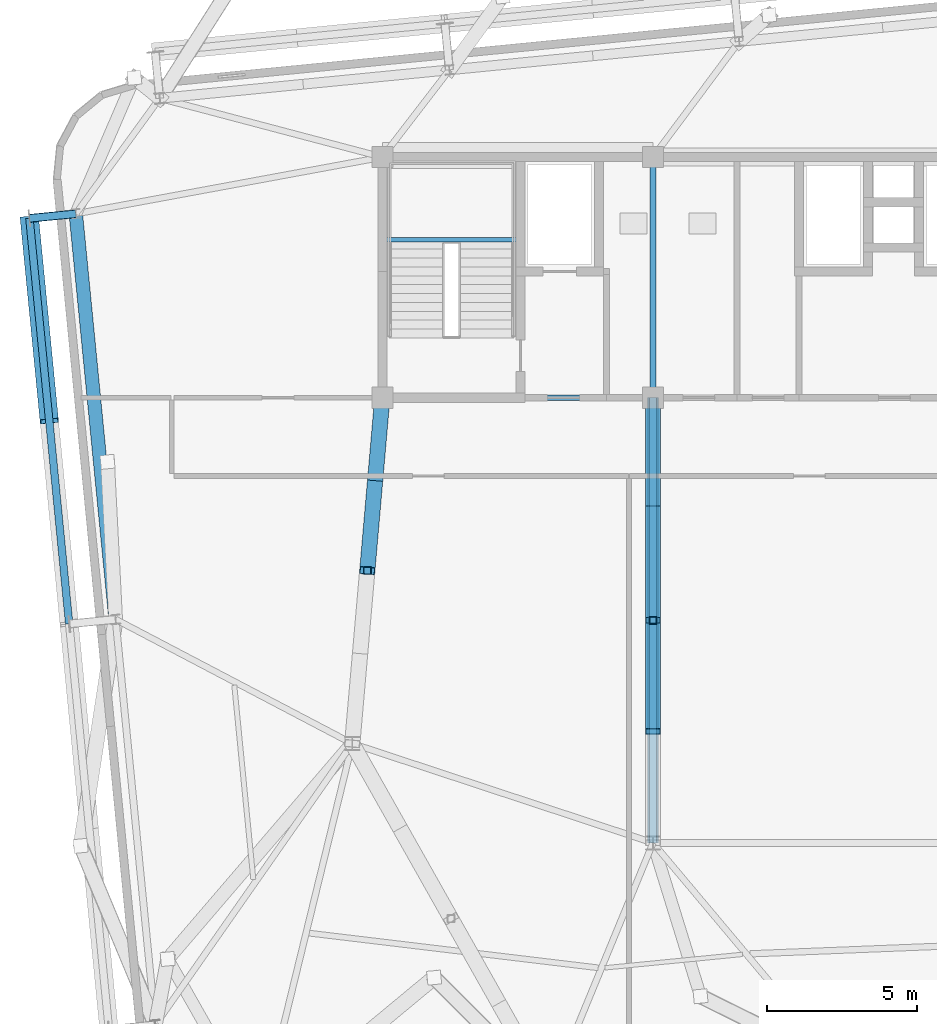
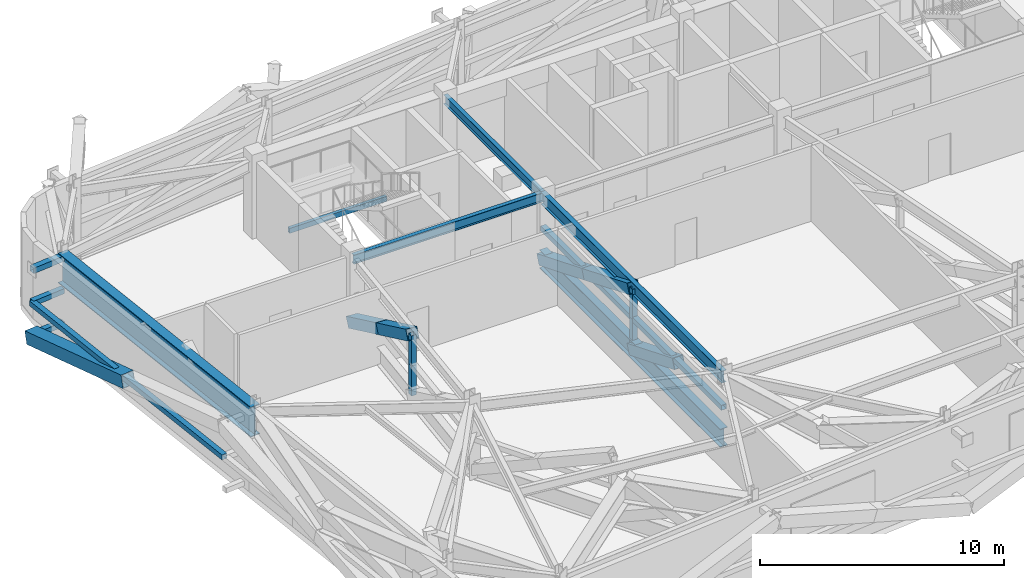
# One storey, part 7 of 24: 16 members, 5 beams.
"""IFC4 building model written with IfcOpenShell, lengths in metres."""

from ifc_helpers import new_model, si_unit, direction, frame, origin, origin_2d, place, context, subcontext, project, spatial, hollow_rectangle, i_section, extrude, source, transform, mapped, material, material_profile, profile_set, type_object, element, save


model = new_model("IFC4")

# Units and contexts
model_context = context("Model", 3, precision=1e-05, world=origin(), true_north=direction((0.0, 1.0)))
body_context = subcontext(model_context, "Body", "Model", "MODEL_VIEW")
ifc_project = project(units=[si_unit("LENGTHUNIT", "METRE"), si_unit("AREAUNIT", "SQUARE_METRE"), si_unit("VOLUMEUNIT", "CUBIC_METRE"), si_unit("PLANEANGLEUNIT", "RADIAN"), si_unit("MASSUNIT", "GRAM", prefix="KILO")], contexts=[model_context])

# Site, building, storey
site_placement = place(None, origin())
site = spatial("IfcSite", under=ifc_project, at=site_placement, CompositionType="ELEMENT")
building_placement = place(site_placement, origin())
building = spatial("IfcBuilding", under=site, at=building_placement, Name="Taldren Reach Tower", CompositionType="ELEMENT")
storey_placement = place(building_placement, frame((0.0, 0.0, 112.35009765625)))
storey = spatial("IfcBuildingStorey", under=building, at=storey_placement, Name="L34", CompositionType="ELEMENT", Elevation=112.35009765625)

# Beams
ifc_material_1 = material(Name="Steel Gr 350 (350PLUS)", Category="steel")
ifc_material_profile_1 = material_profile(ifc_material_1, i_section(OverallWidth=0.19091796875, OverallDepth=0.4599609375, WebThickness=0.010009765625, FlangeThickness=0.01611328125, at=origin_2d()), Name="460UB82.1")
ifc_profile_set_1 = profile_set([ifc_material_profile_1], Name="Steel Gr 350 (350PLUS)")
beam_type_1 = type_object("IfcBeamType", Name="BM-UB460A", PredefinedType="BEAM", material=ifc_profile_set_1)
shared_shape_1 = source(origin(), body_context, "Body", "SweptSolid", [
    extrude(i_section(OverallWidth=0.19091796875, OverallDepth=0.4599609375, WebThickness=0.010009765625, FlangeThickness=0.01611328125, at=origin_2d()), origin(), (0.0, 0.0, 1.0), 9.0),
])
beam_1_placement = place(storey_placement, frame((19.0, 24.0, 3.5498046875), z_axis=(1.0, 0.0, 0.0), x_axis=(0.0, 1.0, 0.0)))
element("IfcBeam", 1, at=beam_1_placement, inside=storey, type_object=beam_type_1, Name="Core-spine girder L34-SP01", PredefinedType="BEAM", context=body_context, shape_type="MappedRepresentation", body=[
    mapped(shared_shape_1, transform((0.0, 0.0, 0.0), scale=1.0)),
])
shared_shape_2 = source(origin(), body_context, "Body", "SweptSolid", [
    extrude(i_section(OverallWidth=0.19091796875, OverallDepth=0.4599609375, WebThickness=0.010009765625, FlangeThickness=0.01611328125, at=origin_2d()), origin(), (0.0, 0.0, 1.0), 8.0),
])
beam_2_placement = place(storey_placement, frame((28.0, 24.0, 3.5498046875), z_axis=(0.0, 1.0, 0.0), x_axis=(-1.0, 0.0, 0.0)))
element("IfcBeam", 2, at=beam_2_placement, inside=storey, type_object=beam_type_1, Name="Core-spine girder L34-SP07", PredefinedType="BEAM", context=body_context, shape_type="MappedRepresentation", body=[
    mapped(shared_shape_2, transform((0.0, 0.0, 0.0), scale=1.0)),
])
ifc_material_profile_2 = material_profile(ifc_material_1, i_section(OverallWidth=0.22802734375, OverallDepth=0.60205078125, WebThickness=0.010498046875, FlangeThickness=0.014892578125, at=origin_2d()), Name="610UB101")
ifc_profile_set_2 = profile_set([ifc_material_profile_2], Name="Steel Gr 350 (350PLUS)")
beam_type_2 = type_object("IfcBeamType", Name="BM-UB610B", PredefinedType="BEAM", material=ifc_profile_set_2)
shared_shape_3 = source(origin(), body_context, "Body", "SweptSolid", [
    extrude(i_section(OverallWidth=0.22802734375, OverallDepth=0.60205078125, WebThickness=0.010498046875, FlangeThickness=0.014892578125, at=origin_2d()), origin(), (0.0, 0.0, 1.0), 14.800048828125),
])
beam_3_placement = place(storey_placement, frame((28.0, 24.0, 3.47900390625), z_axis=(0.0, -1.0, 0.0), x_axis=(1.0, 0.0, 0.0)))
element("IfcBeam", 3, at=beam_3_placement, inside=storey, type_object=beam_type_2, Name="Core-spine girder L34-SP14", PredefinedType="BEAM", context=body_context, shape_type="MappedRepresentation", body=[
    mapped(shared_shape_3, transform((0.0, 0.0, 0.0), scale=1.0)),
])

# Members
ifc_material_2 = material(Name="Steel Gr 350 (C350L0)", Category="steel")
ifc_material_profile_3 = material_profile(ifc_material_2, hollow_rectangle(XDim=0.25, YDim=0.25, WallThickness=0.010009765625, at=origin_2d()), Name="250x250x10.0SHS")
ifc_profile_set_3 = profile_set([ifc_material_profile_3], Name="Steel Gr 350 (C350L0)")
member_type_1 = type_object("IfcMemberType", Name="MB-POST250", PredefinedType="POST", material=ifc_profile_set_3)
shared_shape_4 = source(origin(), body_context, "Body", "SweptSolid", [
    extrude(hollow_rectangle(XDim=0.25, YDim=0.25, WallThickness=0.010009765625, at=origin_2d()), origin(), (0.0, 0.0, 1.0), 1.5048828125),
])
for number, where, z_axis, x_axis, name in (
    (4, (18.5, 18.25, 0.449951171875), (0.0, 0.0, 1.0), (1.0, 0.0, 0.0), "Outrigger Transfer Truss Vertical Post OT-W1 L34"),
    (5, (28.0, 16.60009765625, 0.449951171875), (0.0, 0.0, 1.0), (1.0, 0.0, 0.0), "Outrigger Transfer Truss Vertical Post OT-M1 L34"),
):
    element("IfcMember", number, at=place(storey_placement, frame(where, z_axis=z_axis, x_axis=x_axis)), inside=storey, type_object=member_type_1, Name=name, PredefinedType="POST", context=body_context, shape_type="MappedRepresentation", body=[
        mapped(shared_shape_4, transform((0.0, 0.0, 0.0), scale=1.0)),
    ])
shared_shape_5 = source(origin(), body_context, "Body", "SweptSolid", [
    extrude(hollow_rectangle(XDim=0.25, YDim=0.25, WallThickness=0.010009765625, at=origin_2d()), origin(), (0.0, 0.0, 1.0), 1.505126953125),
])
for number, where, z_axis, x_axis, name in (
    (6, (18.5, 18.25, 1.954833984375), (0.0, 0.0, 1.0), (1.0, 0.0, 0.0), "Outrigger Transfer Truss Vertical Post OT-W1 L34"),
    (7, (28.0, 16.60009765625, 1.954833984375), (0.0, 0.0, 1.0), (1.0, 0.0, 0.0), "Outrigger Transfer Truss Vertical Post OT-M1 L34"),
):
    element("IfcMember", number, at=place(storey_placement, frame(where, z_axis=z_axis, x_axis=x_axis)), inside=storey, type_object=member_type_1, Name=name, PredefinedType="POST", context=body_context, shape_type="MappedRepresentation", body=[
        mapped(shared_shape_5, transform((0.0, 0.0, 0.0), scale=1.0)),
    ])
ifc_material_3 = material(Name="Steel Gr 450 (C450L0)", Category="steel")
ifc_material_profile_4 = material_profile(ifc_material_3, hollow_rectangle(XDim=0.510009765625, YDim=0.510009765625, WallThickness=0.02001953125, at=origin_2d()), Name="510x510x20.0SHS")
ifc_profile_set_4 = profile_set([ifc_material_profile_4], Name="Steel Gr 450 (C450L0)")
member_type_2 = type_object("IfcMemberType", Name="MB-EXO508", PredefinedType="BRACE", material=ifc_profile_set_4)
shared_shape_6 = source(origin(), body_context, "Body", "SweptSolid", [
    extrude(hollow_rectangle(XDim=0.510009765625, YDim=0.510009765625, WallThickness=0.02001953125, at=origin_2d()), origin(), (0.0, 0.0, 1.0), 3.254638671875),
])
member_1_placement = place(storey_placement, frame((19.0, 24.0, 0.449951171875), z_axis=(-0.076812991328, -0.883349400268, 0.462378201703), x_axis=(0.996240588196, -0.086629616365, 0.0)))
element("IfcMember", 8, at=member_1_placement, inside=storey, type_object=member_type_2, Name="Outrigger Transfer Truss Diagonal OT-W1A L34", PredefinedType="BRACE", context=body_context, shape_type="MappedRepresentation", body=[
    mapped(shared_shape_6, transform((0.0, 0.0, 0.0), scale=1.0)),
])
shared_shape_7 = source(origin(), body_context, "Body", "SweptSolid", [
    extrude(hollow_rectangle(XDim=0.510009765625, YDim=0.510009765625, WallThickness=0.02001953125, at=origin_2d()), origin(), (0.0, 0.0, 1.0), 3.2548828125),
])
member_2_placement = place(storey_placement, frame((18.75, 21.125, 1.954833984375), z_axis=(-0.076810327051, -0.883318761082, 0.462437174089), x_axis=(0.996240588196, -0.086629616365, 0.0)))
element("IfcMember", 9, at=member_2_placement, inside=storey, type_object=member_type_2, Name="Outrigger Transfer Truss Diagonal OT-W1A L34", PredefinedType="BRACE", context=body_context, shape_type="MappedRepresentation", body=[
    mapped(shared_shape_7, transform((0.0, 0.0, 0.0), scale=1.0)),
])
ifc_material_profile_5 = material_profile(ifc_material_1, i_section(OverallWidth=0.35009765625, OverallDepth=0.916015625, WebThickness=0.013916015625, FlangeThickness=0.028076171875, at=origin_2d()), Name="900WB257")
ifc_profile_set_5 = profile_set([ifc_material_profile_5], Name="Steel Gr 350 (350PLUS)")
member_type_3 = type_object("IfcMemberType", Name="MB-CH900", PredefinedType="CHORD", material=ifc_profile_set_5)
shared_shape_8 = source(origin(), body_context, "Body", "SweptSolid", [
    extrude(i_section(OverallWidth=0.35009765625, OverallDepth=0.916015625, WebThickness=0.013916015625, FlangeThickness=0.028076171875, at=origin_2d()), origin(), (0.0, 0.0, 1.0), 14.800048828125),
])
member_3_placement = place(storey_placement, frame((28.0, 24.0, 0.449951171875), z_axis=(0.0, -1.0, 0.0), x_axis=(1.0, 0.0, 0.0)))
element("IfcMember", 10, at=member_3_placement, inside=storey, type_object=member_type_3, Name="Outrigger Transfer Truss Bottom Chord OT-M1 L34", PredefinedType="CHORD", context=body_context, shape_type="MappedRepresentation", body=[
    mapped(shared_shape_8, transform((0.0, 0.0, 0.0), scale=1.0)),
])
shared_shape_9 = source(origin(), body_context, "Body", "SweptSolid", [
    extrude(hollow_rectangle(XDim=0.25, YDim=0.25, WallThickness=0.010009765625, at=origin_2d()), origin(), (0.0, 0.0, 1.0), 14.800048828125),
])
member_4_placement = place(storey_placement, frame((28.0, 24.0, 1.954833984375), z_axis=(0.0, -1.0, 0.0), x_axis=(1.0, 0.0, 0.0)))
element("IfcMember", 11, at=member_4_placement, inside=storey, type_object=member_type_1, Name="Outrigger Transfer Truss Mid Chord OT-M1 L34", PredefinedType="POST", context=body_context, shape_type="MappedRepresentation", body=[
    mapped(shared_shape_9, transform((0.0, 0.0, 0.0), scale=1.0)),
])
shared_shape_10 = source(origin(), body_context, "Body", "SweptSolid", [
    extrude(hollow_rectangle(XDim=0.510009765625, YDim=0.510009765625, WallThickness=0.02001953125, at=origin_2d()), origin(), (0.0, 0.0, 1.0), 3.994384765625),
])
for number, where, z_axis, x_axis, name in (
    (12, (28.0, 24.0, 0.449951171875), (0.0, -0.926311309754, 0.376759017705), (1.0, 0.0, 0.0), "Outrigger Transfer Truss Diagonal OT-M1A L34"),
    (13, (28.0, 20.300048828125, 1.954833984375), (0.0, -0.926289977248, 0.376811462206), (1.0, 0.0, 0.0), "Outrigger Transfer Truss Diagonal OT-M1A L34"),
):
    element("IfcMember", number, at=place(storey_placement, frame(where, z_axis=z_axis, x_axis=x_axis)), inside=storey, type_object=member_type_2, Name=name, PredefinedType="BRACE", context=body_context, shape_type="MappedRepresentation", body=[
        mapped(shared_shape_10, transform((0.0, 0.0, 0.0), scale=1.0)),
    ])
shared_shape_11 = source(origin(), body_context, "Body", "SweptSolid", [
    extrude(hollow_rectangle(XDim=0.510009765625, YDim=0.510009765625, WallThickness=0.02001953125, at=origin_2d()), origin(), (0.0, 0.0, 1.0), 3.99462890625),
])
member_5_placement = place(storey_placement, frame((28.0, 16.60009765625, 0.449951171875), z_axis=(0.0, -0.926319985193, 0.376737687301), x_axis=(1.0, 0.0, 0.0)))
element("IfcMember", 14, at=member_5_placement, inside=storey, type_object=member_type_2, Name="Outrigger Transfer Truss Diagonal OT-M1B L34", PredefinedType="BRACE", context=body_context, shape_type="MappedRepresentation", body=[
    mapped(shared_shape_11, transform((0.0, 0.0, 0.0), scale=1.0)),
])
ifc_material_profile_6 = material_profile(ifc_material_3, hollow_rectangle(XDim=0.27490234375, YDim=0.27490234375, WallThickness=0.00927734375, at=origin_2d()), Name="275x275x9.3SHS")
ifc_profile_set_6 = profile_set([ifc_material_profile_6], Name="Steel Gr 450 (C450L0)")
member_type_4 = type_object("IfcMemberType", Name="MB-TIE273", PredefinedType="STRUT", material=ifc_profile_set_6)
shared_shape_12 = source(origin(), body_context, "Body", "SweptSolid", [
    extrude(hollow_rectangle(XDim=0.27490234375, YDim=0.27490234375, WallThickness=0.00927734375, at=origin_2d()), origin(), (0.0, 0.0, 1.0), 1.550048828125),
])
member_6_placement = place(storey_placement, frame((8.808349609375, 30.116455078125, 3.5), z_axis=(-0.9952210252, -0.097647892962, 0.0), x_axis=(0.097647892962, -0.9952210252, 0.0)))
element("IfcMember", 15, at=member_6_placement, inside=storey, type_object=member_type_4, Name="Exoskeleton diaphragm tie strut B2-W3 L34", PredefinedType="STRUT", context=body_context, shape_type="MappedRepresentation", body=[
    mapped(shared_shape_12, transform((0.0, 0.0, 0.0), scale=1.0)),
])
shared_shape_13 = source(origin(), body_context, "Body", "SweptSolid", [
    extrude(hollow_rectangle(XDim=0.25, YDim=0.25, WallThickness=0.010009765625, at=origin_2d()), origin(), (0.0, 0.0, 1.0), 1.550048828125),
])
for number, where, z_axis, x_axis, name in (
    (16, (8.808349609375, 30.116455078125, 0.219970703125), (-0.9952210252, -0.097647892962, 0.0), (0.097647892962, -0.9952210252, 0.0), "Exoskeleton base diaphragm tie strut B2-W3 L34"),
    (17, (8.808349609375, 30.116455078125, 1.85986328125), (-0.9952210252, -0.097647892962, 0.0), (0.097647892962, -0.9952210252, 0.0), "Exoskeleton mid-tier diaphragm tie B2-W3 L34"),
):
    element("IfcMember", number, at=place(storey_placement, frame(where, z_axis=z_axis, x_axis=x_axis)), inside=storey, type_object=member_type_1, Name=name, PredefinedType="POST", context=body_context, shape_type="MappedRepresentation", body=[
        mapped(shared_shape_13, transform((0.0, 0.0, 0.0), scale=1.0)),
    ])
shared_shape_14 = source(origin(), body_context, "Body", "SweptSolid", [
    extrude(hollow_rectangle(XDim=0.25, YDim=0.25, WallThickness=0.010009765625, at=origin_2d()), origin(), (0.0, 0.0, 1.0), 13.550048828125),
])
member_7_placement = place(storey_placement, frame((8.587890625, 16.479736328125, 1.85986328125), z_axis=(-0.097584021339, 0.995227290009, 0.0), x_axis=(-0.995227290009, -0.097584021339, 0.0)))
element("IfcMember", 18, at=member_7_placement, inside=storey, type_object=member_type_1, Name="Exoskeleton mid-height ring chord B2-W2 L34", PredefinedType="POST", context=body_context, shape_type="MappedRepresentation", body=[
    mapped(shared_shape_14, transform((0.0, 0.0, 0.0), scale=1.0)),
])

# Beam
ifc_material_profile_7 = material_profile(ifc_material_1, i_section(OverallWidth=0.449951171875, OverallDepth=1.5, WebThickness=0.02001953125, FlangeThickness=0.0439453125, at=origin_2d()), Name="1500WB550")
ifc_profile_set_7 = profile_set([ifc_material_profile_7], Name="Steel Gr 350 (350PLUS)")
beam_type_3 = type_object("IfcBeamType", Name="BM-PG1500", PredefinedType="BEAM", material=ifc_profile_set_7)
shared_shape_15 = source(origin(), body_context, "Body", "SweptSolid", [
    extrude(i_section(OverallWidth=0.449951171875, OverallDepth=1.5, WebThickness=0.02001953125, FlangeThickness=0.0439453125, at=origin_2d()), origin(), (0.0, 0.0, 1.0), 13.550048828125),
])
beam_4_placement = place(storey_placement, frame((8.808349609375, 30.116455078125, 3.02978515625), z_axis=(0.097584021339, -0.995227290009, 0.0), x_axis=(0.995227290009, 0.097584021339, 0.0)))
element("IfcBeam", 19, at=beam_4_placement, inside=storey, type_object=beam_type_3, Name="Belt Truss Transfer Girder TG-B3-W2A on L34", PredefinedType="BEAM", context=body_context, shape_type="MappedRepresentation", body=[
    mapped(shared_shape_15, transform((0.0, 0.0, 0.0), scale=1.0)),
])

# Member
ifc_material_profile_8 = material_profile(ifc_material_3, hollow_rectangle(XDim=0.614990234375, YDim=0.614990234375, WallThickness=0.02490234375, at=origin_2d()), Name="615x615x25.0SHS")
ifc_profile_set_8 = profile_set([ifc_material_profile_8], Name="Steel Gr 450 (C450L0)")
member_type_5 = type_object("IfcMemberType", Name="MB-EXO610", PredefinedType="BRACE", material=ifc_profile_set_8)
shared_shape_16 = source(origin(), body_context, "Body", "SweptSolid", [
    extrude(hollow_rectangle(XDim=0.614990234375, YDim=0.614990234375, WallThickness=0.02490234375, at=origin_2d()), origin(), (0.0, 0.0, 1.0), 6.970703125),
])
member_8_placement = place(storey_placement, frame((7.265625, 29.965087890625, 0.219970703125), z_axis=(0.094845158987, -0.967294535045, 0.235256622199), x_axis=(0.995227290009, 0.097584021339, 0.0)))
element("IfcMember", 20, at=member_8_placement, inside=storey, type_object=member_type_5, Name="Exoskeleton Diagrid Brace B2-W2 L34", PredefinedType="BRACE", context=body_context, shape_type="MappedRepresentation", body=[
    mapped(shared_shape_16, transform((0.0, 0.0, 0.0), scale=1.0)),
])

# Beam
ifc_material_profile_9 = material_profile(ifc_material_2, hollow_rectangle(XDim=0.14990234375, YDim=0.25, WallThickness=0.009033203125, at=origin_2d()), Name="250x150x9.0RHS")
ifc_profile_set_9 = profile_set([ifc_material_profile_9], Name="Steel Gr 350 (C350L0)")
beam_type_4 = type_object("IfcBeamType", Name="LN-RHS250", PredefinedType="LINTEL", material=ifc_profile_set_9)
shared_shape_17 = source(origin(), body_context, "Body", "SweptSolid", [
    extrude(hollow_rectangle(XDim=0.14990234375, YDim=0.25, WallThickness=0.009033203125, at=origin_2d()), origin(), (0.0, 0.0, 1.0), 4.60009765625),
])
beam_5_placement = place(storey_placement, frame((19.0, 29.2548828125, 1.794921875), z_axis=(1.0, 0.0, 0.0), x_axis=(0.0, 1.0, 0.0)))
element("IfcBeam", 21, at=beam_5_placement, inside=storey, type_object=beam_type_4, Name="Stair half-landing support beam ST1-L34-1", PredefinedType="LINTEL", context=body_context, shape_type="MappedRepresentation", body=[
    mapped(shared_shape_17, transform((0.0, 0.0, 0.0), scale=1.0)),
])

save(model, "model.ifc")
